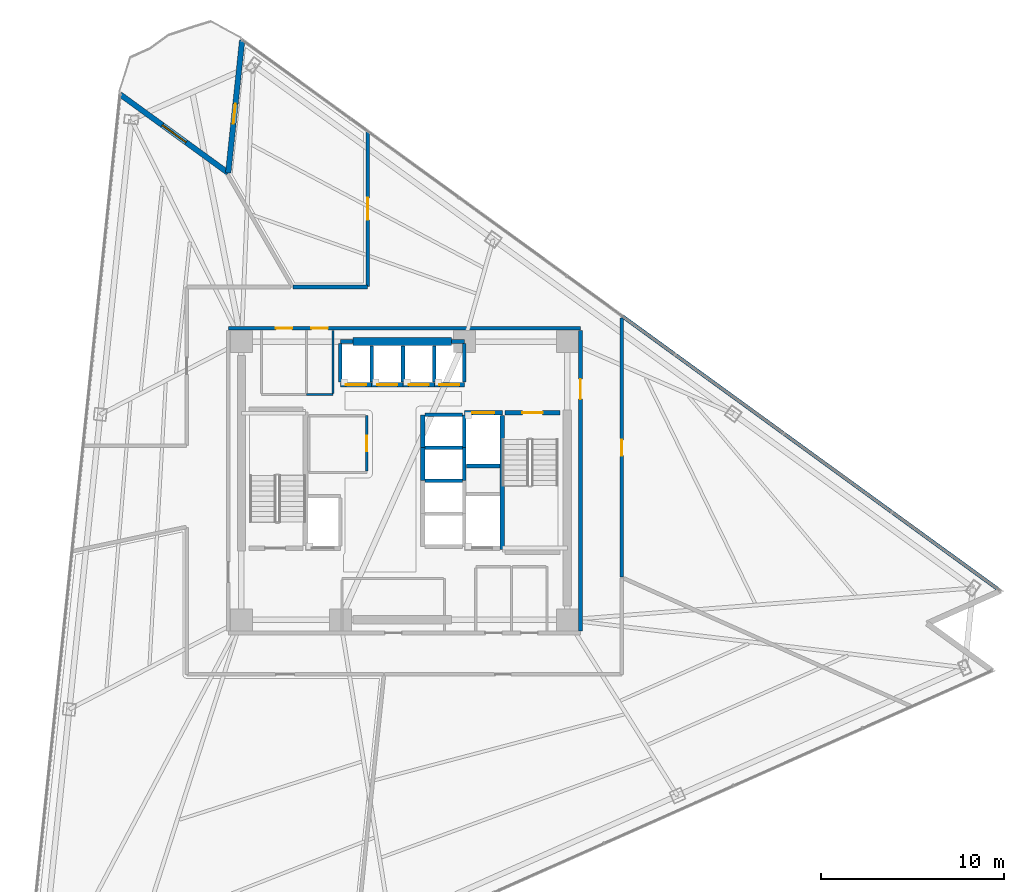
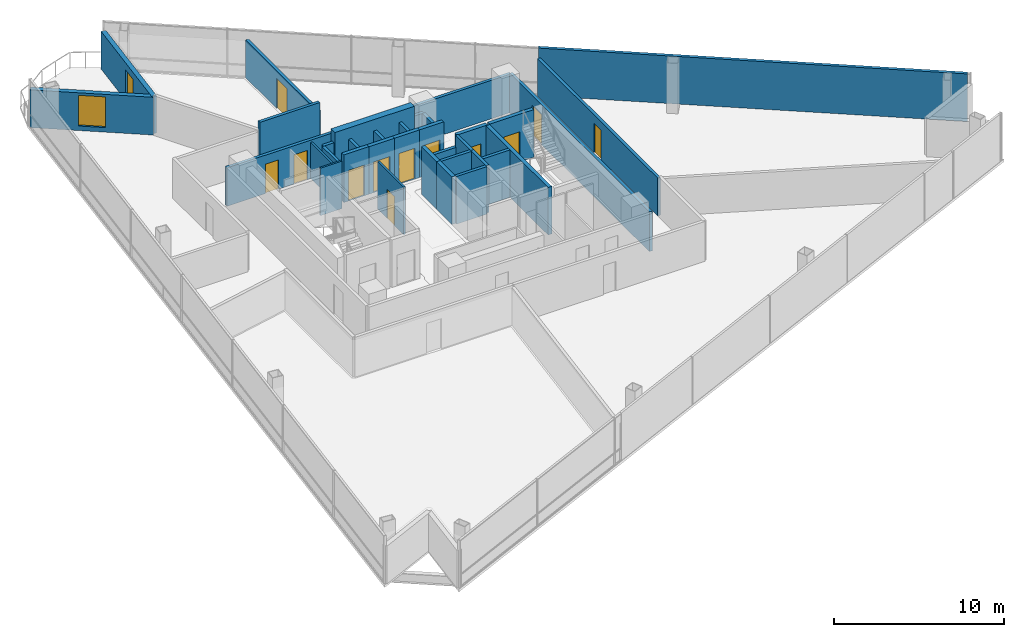
# One storey, part 12 of 16: 34 walls, 13 doors, 1 window, 14 openings.
"""IFC4 building model written with IfcOpenShell, lengths in metres."""

from ifc_helpers import new_model, si_unit, direction, frame, frame_2d, origin, place, context, subcontext, project, spatial, rectangle, extrude, material, layer, layer_set, type_object, element, fill, save


model = new_model("IFC4")

# Units and contexts
model_context = context("Model", 3, precision=1e-05, world=origin(), true_north=direction((0.0, 1.0)))
body_context = subcontext(model_context, "Body", "Model", "MODEL_VIEW")
ifc_project = project(units=[si_unit("LENGTHUNIT", "METRE"), si_unit("AREAUNIT", "SQUARE_METRE"), si_unit("VOLUMEUNIT", "CUBIC_METRE"), si_unit("PLANEANGLEUNIT", "RADIAN"), si_unit("MASSUNIT", "GRAM", prefix="KILO")], contexts=[model_context])

# Site, building, storey
site_placement = place(None, origin())
site = spatial("IfcSite", under=ifc_project, at=site_placement, CompositionType="ELEMENT")
building_placement = place(site_placement, origin())
building = spatial("IfcBuilding", under=site, at=building_placement, Name="Tharavind Bronze Gate", CompositionType="ELEMENT")
storey_placement = place(building_placement, frame((0.0, 0.0, 130.449951171875)))
storey = spatial("IfcBuildingStorey", under=building, at=storey_placement, Name="L33", CompositionType="ELEMENT", Elevation=130.449951171875)

# Wall, opening, door
ifc_material_1 = material(Name="Concrete C40/50", Category="concrete")
ifc_layer_1 = layer(ifc_material_1, 0.300048828125)
ifc_layer_set_1 = layer_set([ifc_layer_1], Name="Concrete C40/50")
wall_type_1 = type_object("IfcWallType", Name="EXTERIOR SPANDREL WALL 300", PredefinedType="STANDARD", material=ifc_layer_set_1)
wall_1_placement = place(storey_placement, frame((-8.85888671875, 24.07080078125, 0.0), z_axis=(0.0, 0.0, 1.0), x_axis=(-0.104512431924, -0.9945235802, 0.0)))
wall_1 = element("IfcWall", 1, at=wall_1_placement, inside=storey, type_object=wall_type_1, Name="L33 notch cheek wall 1A", PredefinedType="STANDARD", context=body_context, shape_type="SweptSolid", body=[
    extrude(rectangle(XDim=7.300048828125, YDim=0.300048828125, at=frame_2d((3.64990234375, 0.0))), origin(), (0.0, 0.0, 1.0), 2.705078125),
])
opening_1_placement = place(wall_1_placement, frame((3.508056640625, 0.0, 0.0)))
opening_1 = element("IfcOpeningElement", 2, at=opening_1_placement, cuts=wall_1, Name="Opening ED04", PredefinedType="OPENING", context=body_context, shape_type="SweptSolid", body=[
    extrude(rectangle(XDim=1.10009765625, YDim=2.199951171875, at=frame_2d((0.550048828125, 1.10009765625))), frame((0.0, 0.15990234375, 0.0), z_axis=(0.0, -1.0, 0.0), x_axis=(1.0, 0.0, 0.0)), (0.0, 0.0, 1.0), 0.320048828125),
])
ifc_material_2 = material(Name="Bronze Aluminium & Toughened Glass", Category="aluminium")
door_type_1 = type_object("IfcDoorType", Name="TREE BALCONY ACCESS DOOR 1100X2200", OperationType="SINGLE_SWING_LEFT", PredefinedType="DOOR", material=ifc_material_2)
door_1_placement = place(opening_1_placement, frame((1.10009765625, 0.0, 0.0), z_axis=(0.0, 0.0, 1.0), x_axis=(-1.0, 0.0, 0.0)))
door_1 = element("IfcDoor", 3, at=door_1_placement, inside=storey, type_object=door_type_1, Name="L33 tree balcony access door", OperationType="SINGLE_SWING_LEFT", OverallHeight=2.199951171875, OverallWidth=1.10009765625, PredefinedType="DOOR", context=body_context, shape_type="SweptSolid", body=[
    extrude(rectangle(XDim=1.10009765625, YDim=2.199951171875, at=frame_2d((0.550048828125, 1.10009765625))), frame((0.0, 0.02490234375, 0.0), z_axis=(0.0, -1.0, 0.0), x_axis=(1.0, 0.0, 0.0)), (0.0, 0.0, 1.0), 0.050048828125),
])
fill(opening_1, door_1)

# Wall, opening, window
wall_2_placement = place(storey_placement, frame((-9.621826171875, 16.810791015625, 0.0), z_axis=(0.0, 0.0, 1.0), x_axis=(-0.809002104592, 0.587805745775, 0.0)))
wall_2 = element("IfcWall", 4, at=wall_2_placement, inside=storey, type_object=wall_type_1, Name="L33 notch cheek wall 1B", PredefinedType="STANDARD", context=body_context, shape_type="SweptSolid", body=[
    extrude(rectangle(XDim=7.300048828125, YDim=0.300048828125, at=frame_2d((3.64990234375, 0.0))), origin(), (0.0, 0.0, 1.0), 2.705078125),
])
opening_2_placement = place(wall_2_placement, frame((2.85009765625, 0.0, 0.324951171875)))
opening_2 = element("IfcOpeningElement", 5, at=opening_2_placement, cuts=wall_2, Name="Opening W05", PredefinedType="OPENING", context=body_context, shape_type="SweptSolid", body=[
    extrude(rectangle(XDim=1.60009765625, YDim=2.199951171875, at=frame_2d((0.800048828125, 1.10009765625))), frame((0.0, 0.15990234375, 0.0), z_axis=(0.0, -1.0, 0.0), x_axis=(1.0, 0.0, 0.0)), (0.0, 0.0, 1.0), 0.320048828125),
])
ifc_material_3 = material(Name="Bronze Aluminium & Low-E Glass", Category="aluminium")
window_type = type_object("IfcWindowType", Name="OFFICE NOTCH BRONZE WINDOW 1600X2200", PartitioningType="DOUBLE_PANEL_VERTICAL", PredefinedType="WINDOW", material=ifc_material_3)
window_placement = place(opening_2_placement, origin())
window = element("IfcWindow", 6, at=window_placement, inside=storey, type_object=window_type, Name="L33 exterior window WL-L33-NCB1-01", OverallHeight=2.199951171875, OverallWidth=1.60009765625, PartitioningType="SINGLE_PANEL", PredefinedType="WINDOW", context=body_context, shape_type="SweptSolid", body=[
    extrude(rectangle(XDim=1.60009765625, YDim=2.199951171875, at=frame_2d((0.800048828125, 1.10009765625))), frame((0.0, 0.030029296875, 0.0), z_axis=(0.0, -1.0, 0.0), x_axis=(1.0, 0.0, 0.0)), (0.0, 0.0, 1.0), 0.06005859375),
])
fill(opening_2, window)

# Wall, openings, doors
ifc_material_4 = material(Name="Aerated Concrete Block", Category="concrete")
ifc_layer_2 = layer(ifc_material_4, 0.199951171875)
ifc_layer_set_2 = layer_set([ifc_layer_2], Name="Aerated Concrete Block")
wall_type_2 = type_object("IfcWallType", Name="FIRE RATED PARTITION 200", PredefinedType="PARTITIONING", material=ifc_layer_set_2)
wall_3_placement = place(storey_placement, frame((9.6201171875, 8.320068359375, 0.0), z_axis=(0.0, 0.0, 1.0), x_axis=(-1.0, 0.0, 0.0)))
wall_3 = element("IfcWall", 7, at=wall_3_placement, inside=storey, type_object=wall_type_2, Name="L33 north core corridor wall", PredefinedType="PARTITIONING", context=body_context, shape_type="SweptSolid", body=[
    extrude(rectangle(XDim=19.240234375, YDim=0.199951171875, at=frame_2d((9.6201171875, 0.0))), origin(), (0.0, 0.0, 1.0), 2.755126953125),
])
opening_3_placement = place(wall_3_placement, frame((15.7451171875, 0.0, 0.0)))
opening_3 = element("IfcOpeningElement", 8, at=opening_3_placement, cuts=wall_3, Name="Opening ID07", PredefinedType="OPENING", context=body_context, shape_type="SweptSolid", body=[
    extrude(rectangle(XDim=0.89990234375, YDim=2.10009765625, at=frame_2d((0.449951171875, 1.050048828125))), frame((0.0, 0.11009765625, 0.0), z_axis=(0.0, -1.0, 0.0), x_axis=(1.0, 0.0, 0.0)), (0.0, 0.0, 1.0), 0.219951171875),
])
opening_4_placement = place(wall_3_placement, frame((13.794921875, 0.0, 0.0)))
opening_4 = element("IfcOpeningElement", 9, at=opening_4_placement, cuts=wall_3, Name="Opening ID07", PredefinedType="OPENING", context=body_context, shape_type="SweptSolid", body=[
    extrude(rectangle(XDim=0.89990234375, YDim=2.10009765625, at=frame_2d((0.449951171875, 1.050048828125))), frame((0.0, 0.11009765625, 0.0), z_axis=(0.0, -1.0, 0.0), x_axis=(1.0, 0.0, 0.0)), (0.0, 0.0, 1.0), 0.219951171875),
])
ifc_material_5 = material(Name="Galvanised Fire Steel", Category="steel")
door_type_2 = type_object("IfcDoorType", Name="PLANT AND RISER FIRE DOOR 900X2100", OperationType="SINGLE_SWING_LEFT", PredefinedType="DOOR", material=ifc_material_5)
door_2_placement = place(opening_3_placement, origin())
door_2 = element("IfcDoor", 10, at=door_2_placement, inside=storey, type_object=door_type_2, Name="L33 Electrical Metering Room fire door", OperationType="SINGLE_SWING_LEFT", OverallHeight=2.10009765625, OverallWidth=0.89990234375, PredefinedType="DOOR", context=body_context, shape_type="SweptSolid", body=[
    extrude(rectangle(XDim=0.89990234375, YDim=2.10009765625, at=frame_2d((0.449951171875, 1.050048828125))), frame((0.0, 0.02490234375, 0.0), z_axis=(0.0, -1.0, 0.0), x_axis=(1.0, 0.0, 0.0)), (0.0, 0.0, 1.0), 0.050048828125),
])
fill(opening_3, door_2)
door_3_placement = place(opening_4_placement, origin())
door_3 = element("IfcDoor", 11, at=door_3_placement, inside=storey, type_object=door_type_2, Name="L33 Linen Cupboard fire door", OperationType="SINGLE_SWING_LEFT", OverallHeight=2.10009765625, OverallWidth=0.89990234375, PredefinedType="DOOR", context=body_context, shape_type="SweptSolid", body=[
    extrude(rectangle(XDim=0.89990234375, YDim=2.10009765625, at=frame_2d((0.449951171875, 1.050048828125))), frame((0.0, 0.02490234375, 0.0), z_axis=(0.0, -1.0, 0.0), x_axis=(1.0, 0.0, 0.0)), (0.0, 0.0, 1.0), 0.050048828125),
])
fill(opening_4, door_3)

# Wall, opening, door
wall_4_placement = place(storey_placement, frame((9.6201171875, -8.199951171875, 0.0), z_axis=(0.0, 0.0, 1.0), x_axis=(0.0, 1.0, 0.0)))
wall_4 = element("IfcWall", 12, at=wall_4_placement, inside=storey, type_object=wall_type_2, Name="L33 east core corridor wall", PredefinedType="PARTITIONING", context=body_context, shape_type="SweptSolid", body=[
    extrude(rectangle(XDim=16.39990234375, YDim=0.199951171875, at=frame_2d((8.199951171875, 0.0))), origin(), (0.0, 0.0, 1.0), 2.85498046875),
])
opening_5_placement = place(wall_4_placement, frame((12.64990234375, 0.0, 0.0)))
opening_5 = element("IfcOpeningElement", 13, at=opening_5_placement, cuts=wall_4, Name="Opening ID01", PredefinedType="OPENING", context=body_context, shape_type="SweptSolid", body=[
    extrude(rectangle(XDim=1.10009765625, YDim=2.14990234375, at=frame_2d((0.550048828125, 1.074951171875))), frame((0.0, 0.11009765625, 0.0), z_axis=(0.0, -1.0, 0.0), x_axis=(1.0, 0.0, 0.0)), (0.0, 0.0, 1.0), 0.219951171875),
])
ifc_material_6 = material(Name="Fire-Rated Steel", Category="steel")
door_type_3 = type_object("IfcDoorType", Name="STAIR CORE FIRE DOOR 1100X2150", OperationType="SINGLE_SWING_LEFT", PredefinedType="DOOR", material=ifc_material_6)
door_4_placement = place(opening_5_placement, frame((1.10009765625, 0.0, 0.0), z_axis=(0.0, 0.0, 1.0), x_axis=(-1.0, 0.0, 0.0)))
door_4 = element("IfcDoor", 14, at=door_4_placement, inside=storey, type_object=door_type_3, Name="L33 north east stair lobby fire door", OperationType="SINGLE_SWING_LEFT", OverallHeight=2.14990234375, OverallWidth=1.10009765625, PredefinedType="DOOR", context=body_context, shape_type="SweptSolid", body=[
    extrude(rectangle(XDim=1.10009765625, YDim=2.14990234375, at=frame_2d((0.550048828125, 1.074951171875))), frame((0.0, 0.02490234375, 0.0), z_axis=(0.0, -1.0, 0.0), x_axis=(1.0, 0.0, 0.0)), (0.0, 0.0, 1.0), 0.050048828125),
])
fill(opening_5, door_4)

# Wall
wall_5_placement = place(storey_placement, frame((11.919677734375, 8.974609375, 0.0), z_axis=(0.0, 0.0, 1.0), x_axis=(0.809015648515, -0.587787104705, 0.0)))
element("IfcWall", 15, at=wall_5_placement, inside=storey, type_object=wall_type_2, Name="L33 Public Restrooms Block partition", PredefinedType="PARTITIONING", context=body_context, shape_type="SweptSolid", body=[
    extrude(rectangle(XDim=25.331298828125, YDim=0.199951171875, at=frame_2d((12.66552734375, 0.0))), origin(), (0.0, 0.0, 1.0), 3.41015625),
])

# Wall, opening, door
wall_6_placement = place(storey_placement, frame((11.8798828125, -5.273193359375, 0.0), z_axis=(0.0, 0.0, 1.0), x_axis=(0.0, 1.0, 0.0)))
wall_6 = element("IfcWall", 16, at=wall_6_placement, inside=storey, type_object=wall_type_2, Name="L33 Public Restrooms Block partition", PredefinedType="PARTITIONING", context=body_context, shape_type="SweptSolid", body=[
    extrude(rectangle(XDim=14.146728515625, YDim=0.199951171875, at=frame_2d((7.0732421875, 0.0))), origin(), (0.0, 0.0, 1.0), 2.705078125),
])
opening_6_placement = place(wall_6_placement, frame((6.64794921875, 0.0, 0.0)))
opening_6 = element("IfcOpeningElement", 17, at=opening_6_placement, cuts=wall_6, Name="Opening ID06", PredefinedType="OPENING", context=body_context, shape_type="SweptSolid", body=[
    extrude(rectangle(XDim=0.85009765625, YDim=2.10009765625, at=frame_2d((0.425048828125, 1.050048828125))), frame((0.0, 0.11009765625, 0.0), z_axis=(0.0, -1.0, 0.0), x_axis=(1.0, 0.0, 0.0)), (0.0, 0.0, 1.0), 0.219951171875),
])
ifc_material_7 = material(Name="Moisture-Resistant Timber", Category="wood")
door_type_4 = type_object("IfcDoorType", Name="BATHROOM PRIVACY DOOR 850X2100", OperationType="SINGLE_SWING_RIGHT", PredefinedType="DOOR", material=ifc_material_7)
door_5_placement = place(opening_6_placement, origin())
door_5 = element("IfcDoor", 18, at=door_5_placement, inside=storey, type_object=door_type_4, Name="L33 Public Restrooms Block door", OperationType="SINGLE_SWING_RIGHT", OverallHeight=2.10009765625, OverallWidth=0.85009765625, PredefinedType="DOOR", context=body_context, shape_type="SweptSolid", body=[
    extrude(rectangle(XDim=0.85009765625, YDim=2.10009765625, at=frame_2d((0.425048828125, 1.050048828125))), frame((0.0, 0.02490234375, 0.0), z_axis=(0.0, -1.0, 0.0), x_axis=(1.0, 0.0, 0.0)), (0.0, 0.0, 1.0), 0.050048828125),
])
fill(opening_6, door_5)

wall_7_placement = place(storey_placement, frame((-2.0, 19.087646484375, 0.0), z_axis=(0.0, 0.0, 1.0), x_axis=(0.0, -1.0, 0.0)))
wall_7 = element("IfcWall", 19, at=wall_7_placement, inside=storey, type_object=wall_type_2, Name="L33 Executive Forum Hall partition", PredefinedType="PARTITIONING", context=body_context, shape_type="SweptSolid", body=[
    extrude(rectangle(XDim=8.482666015625, YDim=0.199951171875, at=frame_2d((4.2412109375, 0.0))), origin(), (0.0, 0.0, 1.0), 2.705078125),
])
opening_7_placement = place(wall_7_placement, frame((3.64111328125, 0.0, 0.0)))
opening_7 = element("IfcOpeningElement", 20, at=opening_7_placement, cuts=wall_7, Name="Opening ID05", PredefinedType="OPENING", context=body_context, shape_type="SweptSolid", body=[
    extrude(rectangle(XDim=1.199951171875, YDim=2.14990234375, at=frame_2d((0.60009765625, 1.074951171875))), frame((0.0, 0.11009765625, 0.0), z_axis=(0.0, -1.0, 0.0), x_axis=(1.0, 0.0, 0.0)), (0.0, 0.0, 1.0), 0.219951171875),
])
ifc_material_8 = material(Name="Acoustic Laminated Glass", Category="glass")
door_type_5 = type_object("IfcDoorType", Name="MEETING ROOM GLAZED DOOR 1200X2150", OperationType="SINGLE_SWING_LEFT", PredefinedType="DOOR", material=ifc_material_8)
door_6_placement = place(opening_7_placement, origin())
door_6 = element("IfcDoor", 21, at=door_6_placement, inside=storey, type_object=door_type_5, Name="L33 Executive Forum Hall door", OperationType="SINGLE_SWING_LEFT", OverallHeight=2.14990234375, OverallWidth=1.199951171875, PredefinedType="DOOR", context=body_context, shape_type="SweptSolid", body=[
    extrude(rectangle(XDim=1.199951171875, YDim=2.14990234375, at=frame_2d((0.60009765625, 1.074951171875))), frame((0.0, 0.02490234375, 0.0), z_axis=(0.0, -1.0, 0.0), x_axis=(1.0, 0.0, 0.0)), (0.0, 0.0, 1.0), 0.050048828125),
])
fill(opening_7, door_6)

# Wall
wall_8_placement = place(storey_placement, frame((-2.02490234375, 10.580078125, 0.0), z_axis=(0.0, 0.0, 1.0), x_axis=(-1.0, 0.0, 0.0)))
element("IfcWall", 22, at=wall_8_placement, inside=storey, type_object=wall_type_2, Name="L33 Executive Forum Hall partition", PredefinedType="PARTITIONING", context=body_context, shape_type="SweptSolid", body=[
    extrude(rectangle(XDim=4.069091796875, YDim=0.199951171875, at=frame_2d((2.03466796875, 0.0))), origin(), (0.0, 0.0, 1.0), 3.41015625),
])

# Wall, opening, door
ifc_material_9 = material(Name="Metal Stud Gypsum Partition", Category="gypsum")
ifc_layer_3 = layer(ifc_material_9, 0.1201171875)
ifc_layer_set_3 = layer_set([ifc_layer_3], Name="Metal Stud Gypsum Partition")
wall_type_3 = type_object("IfcWallType", Name="INTERIOR PARTITION WALL 120", PredefinedType="PARTITIONING", material=ifc_layer_set_3)
wall_9_placement = place(storey_placement, frame((-2.050048828125, 0.514892578125, 0.0), z_axis=(0.0, 0.0, 1.0), x_axis=(0.0, 1.0, 0.0)))
wall_9 = element("IfcWall", 23, at=wall_9_placement, inside=storey, type_object=wall_type_3, Name="L33 Electrical & Telecom Store partition 2", PredefinedType="PARTITIONING", context=body_context, shape_type="SweptSolid", body=[
    extrude(rectangle(XDim=3.03515625, YDim=0.1201171875, at=frame_2d((1.517578125, 0.0))), origin(), (0.0, 0.0, 1.0), 3.41015625),
])
opening_8_placement = place(wall_9_placement, frame((1.092041015625, 0.0, 0.0)))
opening_8 = element("IfcOpeningElement", 24, at=opening_8_placement, cuts=wall_9, Name="Opening ID06", PredefinedType="OPENING", context=body_context, shape_type="SweptSolid", body=[
    extrude(rectangle(XDim=0.85009765625, YDim=2.10009765625, at=frame_2d((0.425048828125, 1.050048828125))), frame((0.0, 0.07005859375, 0.0), z_axis=(0.0, -1.0, 0.0), x_axis=(1.0, 0.0, 0.0)), (0.0, 0.0, 1.0), 0.1401171875),
])
door_7_placement = place(opening_8_placement, frame((0.85009765625, 0.0, 0.0), z_axis=(0.0, 0.0, 1.0), x_axis=(-1.0, 0.0, 0.0)))
door_7 = element("IfcDoor", 25, at=door_7_placement, inside=storey, type_object=door_type_4, Name="L33 Electrical & Telecom Store door", OperationType="SINGLE_SWING_RIGHT", OverallHeight=2.10009765625, OverallWidth=0.85009765625, PredefinedType="DOOR", context=body_context, shape_type="SweptSolid", body=[
    extrude(rectangle(XDim=0.85009765625, YDim=2.10009765625, at=frame_2d((0.425048828125, 1.050048828125))), frame((0.0, 0.02490234375, 0.0), z_axis=(0.0, -1.0, 0.0), x_axis=(1.0, 0.0, 0.0)), (0.0, 0.0, 1.0), 0.050048828125),
])
fill(opening_8, door_7)

# Walls
wall_10_placement = place(storey_placement, frame((-5.35009765625, 4.699951171875, 0.0), z_axis=(0.0, 0.0, 1.0), x_axis=(1.0, 0.0, 0.0)))
element("IfcWall", 26, at=wall_10_placement, inside=storey, type_object=wall_type_3, Name="L33 Linen Cupboard partition 1", PredefinedType="PARTITIONING", context=body_context, shape_type="SweptSolid", body=[
    extrude(rectangle(XDim=1.4501953125, YDim=0.1201171875, at=frame_2d((0.72509765625, 0.0))), origin(), (0.0, 0.0, 1.0), 3.41015625),
])
wall_11_placement = place(storey_placement, frame((-3.89990234375, 4.764892578125, 0.0), z_axis=(0.0, 0.0, 1.0), x_axis=(0.0, 1.0, 0.0)))
element("IfcWall", 27, at=wall_11_placement, inside=storey, type_object=wall_type_3, Name="L33 Linen Cupboard partition 2", PredefinedType="PARTITIONING", context=body_context, shape_type="SweptSolid", body=[
    extrude(rectangle(XDim=3.4501953125, YDim=0.1201171875, at=frame_2d((1.72509765625, 0.0))), origin(), (0.0, 0.0, 1.0), 2.60498046875),
])
ifc_material_10 = material(Name="Concrete C50/60", Category="concrete")
ifc_layer_4 = layer(ifc_material_10, 0.25)
ifc_layer_set_4 = layer_set([ifc_layer_4], Name="Concrete C50/60")
wall_type_4 = type_object("IfcWallType", Name="RC CORE SHEAR WALL 250", PredefinedType="SHEAR", material=ifc_layer_set_4)
wall_12_placement = place(storey_placement, frame((5.35009765625, -3.75, 0.0), z_axis=(0.0, 0.0, 1.0), x_axis=(0.0, 1.0, 0.0)))
element("IfcWall", 28, at=wall_12_placement, inside=storey, type_object=wall_type_4, Name="L33 ST2 shaft west wall", PredefinedType="SHEAR", context=body_context, shape_type="SweptSolid", body=[
    extrude(rectangle(XDim=7.300048828125, YDim=0.25, at=frame_2d((3.64990234375, 0.0))), origin(), (0.0, 0.0, 1.0), 3.41015625),
])

# Wall, opening, door
wall_13_placement = place(storey_placement, frame((5.5, 3.699951171875, 0.0), z_axis=(0.0, 0.0, 1.0), x_axis=(1.0, 0.0, 0.0)))
wall_13 = element("IfcWall", 29, at=wall_13_placement, inside=storey, type_object=wall_type_4, Name="L33 ST2 shaft north wall", PredefinedType="SHEAR", context=body_context, shape_type="SweptSolid", body=[
    extrude(rectangle(XDim=3.0, YDim=0.25, at=frame_2d((1.5, 0.0))), origin(), (0.0, 0.0, 1.0), 3.41015625),
])
opening_9_placement = place(wall_13_placement, frame((0.949951171875, 0.0, 0.0)))
opening_9 = element("IfcOpeningElement", 30, at=opening_9_placement, cuts=wall_13, Name="Opening ID01", PredefinedType="OPENING", context=body_context, shape_type="SweptSolid", body=[
    extrude(rectangle(XDim=1.10009765625, YDim=2.14990234375, at=frame_2d((0.550048828125, 1.074951171875))), frame((0.0, 0.135, 0.0), z_axis=(0.0, -1.0, 0.0), x_axis=(1.0, 0.0, 0.0)), (0.0, 0.0, 1.0), 0.27),
])
door_8_placement = place(opening_9_placement, frame((1.10009765625, 0.0, 0.0), z_axis=(0.0, 0.0, 1.0), x_axis=(-1.0, 0.0, 0.0)))
door_8 = element("IfcDoor", 31, at=door_8_placement, inside=storey, type_object=door_type_3, Name="L33 exit stair ST2 fire door", OperationType="SINGLE_SWING_LEFT", OverallHeight=2.14990234375, OverallWidth=1.10009765625, PredefinedType="DOOR", context=body_context, shape_type="SweptSolid", body=[
    extrude(rectangle(XDim=1.10009765625, YDim=2.14990234375, at=frame_2d((0.550048828125, 1.074951171875))), frame((0.0, 0.02490234375, 0.0), z_axis=(0.0, -1.0, 0.0), x_axis=(1.0, 0.0, 0.0)), (0.0, 0.0, 1.0), 0.050048828125),
])
fill(opening_9, door_8)

wall_14_placement = place(storey_placement, frame((-3.5, 5.25, 0.0), z_axis=(0.0, 0.0, 1.0), x_axis=(1.0, 0.0, 0.0)))
wall_14 = element("IfcWall", 32, at=wall_14_placement, inside=storey, type_object=wall_type_4, Name="L33 lift PL5 shaft front wall", PredefinedType="SHEAR", context=body_context, shape_type="SweptSolid", body=[
    extrude(rectangle(XDim=1.71240234375, YDim=0.25, at=frame_2d((0.856201171875, 0.0))), origin(), (0.0, 0.0, 1.0), 3.41015625),
])
opening_10_placement = place(wall_14_placement, frame((0.305908203125, 0.0, 0.0)))
opening_10 = element("IfcOpeningElement", 33, at=opening_10_placement, cuts=wall_14, Name="Opening LD01", PredefinedType="OPENING", context=body_context, shape_type="SweptSolid", body=[
    extrude(rectangle(XDim=1.10009765625, YDim=2.199951171875, at=frame_2d((0.550048828125, 1.10009765625))), frame((0.0, 0.135, 0.0), z_axis=(0.0, -1.0, 0.0), x_axis=(1.0, 0.0, 0.0)), (0.0, 0.0, 1.0), 0.27),
])
ifc_material_11 = material(Name="Brushed Bronze Stainless Steel", Category="steel")
door_type_6 = type_object("IfcDoorType", Name="LIFT LANDING SLIDING DOOR 1100X2200", OperationType="SLIDING_TO_LEFT", PredefinedType="DOOR", material=ifc_material_11)
door_9_placement = place(opening_10_placement, origin())
door_9 = element("IfcDoor", 34, at=door_9_placement, inside=storey, type_object=door_type_6, Name="L33 lift PL5 sliding landing door", OperationType="SLIDING_TO_LEFT", OverallHeight=2.199951171875, OverallWidth=1.10009765625, PredefinedType="DOOR", context=body_context, shape_type="SweptSolid", body=[
    extrude(rectangle(XDim=1.10009765625, YDim=2.199951171875, at=frame_2d((0.550048828125, 1.10009765625))), frame((0.0, 0.02490234375, 0.0), z_axis=(0.0, -1.0, 0.0), x_axis=(1.0, 0.0, 0.0)), (0.0, 0.0, 1.0), 0.050048828125),
])
fill(opening_10, door_9)

wall_15_placement = place(storey_placement, frame((-1.78759765625, 5.25, 0.0), z_axis=(0.0, 0.0, 1.0), x_axis=(1.0, 0.0, 0.0)))
wall_15 = element("IfcWall", 35, at=wall_15_placement, inside=storey, type_object=wall_type_4, Name="L33 lift PL6 shaft front wall", PredefinedType="SHEAR", context=body_context, shape_type="SweptSolid", body=[
    extrude(rectangle(XDim=1.712646484375, YDim=0.25, at=frame_2d((0.8564453125, 0.0))), origin(), (0.0, 0.0, 1.0), 3.41015625),
])
opening_11_placement = place(wall_15_placement, frame((0.305908203125, 0.0, 0.0)))
opening_11 = element("IfcOpeningElement", 36, at=opening_11_placement, cuts=wall_15, Name="Opening LD01", PredefinedType="OPENING", context=body_context, shape_type="SweptSolid", body=[
    extrude(rectangle(XDim=1.10009765625, YDim=2.199951171875, at=frame_2d((0.550048828125, 1.10009765625))), frame((0.0, 0.135, 0.0), z_axis=(0.0, -1.0, 0.0), x_axis=(1.0, 0.0, 0.0)), (0.0, 0.0, 1.0), 0.27),
])
door_10_placement = place(opening_11_placement, origin())
door_10 = element("IfcDoor", 37, at=door_10_placement, inside=storey, type_object=door_type_6, Name="L33 lift PL6 sliding landing door", OperationType="SLIDING_TO_LEFT", OverallHeight=2.199951171875, OverallWidth=1.10009765625, PredefinedType="DOOR", context=body_context, shape_type="SweptSolid", body=[
    extrude(rectangle(XDim=1.10009765625, YDim=2.199951171875, at=frame_2d((0.550048828125, 1.10009765625))), frame((0.0, 0.02490234375, 0.0), z_axis=(0.0, -1.0, 0.0), x_axis=(1.0, 0.0, 0.0)), (0.0, 0.0, 1.0), 0.050048828125),
])
fill(opening_11, door_10)

wall_16_placement = place(storey_placement, frame((-0.074951171875, 5.25, 0.0), z_axis=(0.0, 0.0, 1.0), x_axis=(1.0, 0.0, 0.0)))
wall_16 = element("IfcWall", 38, at=wall_16_placement, inside=storey, type_object=wall_type_4, Name="L33 lift PL7 shaft front wall", PredefinedType="SHEAR", context=body_context, shape_type="SweptSolid", body=[
    extrude(rectangle(XDim=1.71240234375, YDim=0.25, at=frame_2d((0.856201171875, 0.0))), origin(), (0.0, 0.0, 1.0), 3.41015625),
])
opening_12_placement = place(wall_16_placement, frame((0.305908203125, 0.0, 0.0)))
opening_12 = element("IfcOpeningElement", 39, at=opening_12_placement, cuts=wall_16, Name="Opening LD01", PredefinedType="OPENING", context=body_context, shape_type="SweptSolid", body=[
    extrude(rectangle(XDim=1.10009765625, YDim=2.199951171875, at=frame_2d((0.550048828125, 1.10009765625))), frame((0.0, 0.135, 0.0), z_axis=(0.0, -1.0, 0.0), x_axis=(1.0, 0.0, 0.0)), (0.0, 0.0, 1.0), 0.27),
])
door_11_placement = place(opening_12_placement, origin())
door_11 = element("IfcDoor", 40, at=door_11_placement, inside=storey, type_object=door_type_6, Name="L33 lift PL7 sliding landing door", OperationType="SLIDING_TO_LEFT", OverallHeight=2.199951171875, OverallWidth=1.10009765625, PredefinedType="DOOR", context=body_context, shape_type="SweptSolid", body=[
    extrude(rectangle(XDim=1.10009765625, YDim=2.199951171875, at=frame_2d((0.550048828125, 1.10009765625))), frame((0.0, 0.02490234375, 0.0), z_axis=(0.0, -1.0, 0.0), x_axis=(1.0, 0.0, 0.0)), (0.0, 0.0, 1.0), 0.050048828125),
])
fill(opening_12, door_11)

wall_17_placement = place(storey_placement, frame((1.637451171875, 5.25, 0.0), z_axis=(0.0, 0.0, 1.0), x_axis=(1.0, 0.0, 0.0)))
wall_17 = element("IfcWall", 41, at=wall_17_placement, inside=storey, type_object=wall_type_4, Name="L33 lift PL8 shaft front wall", PredefinedType="SHEAR", context=body_context, shape_type="SweptSolid", body=[
    extrude(rectangle(XDim=1.642578125, YDim=0.25, at=frame_2d((0.8212890625, 0.0))), origin(), (0.0, 0.0, 1.0), 3.41015625),
])
opening_13_placement = place(wall_17_placement, frame((0.27099609375, 0.0, 0.0)))
opening_13 = element("IfcOpeningElement", 42, at=opening_13_placement, cuts=wall_17, Name="Opening LD01", PredefinedType="OPENING", context=body_context, shape_type="SweptSolid", body=[
    extrude(rectangle(XDim=1.10009765625, YDim=2.199951171875, at=frame_2d((0.550048828125, 1.10009765625))), frame((0.0, 0.135, 0.0), z_axis=(0.0, -1.0, 0.0), x_axis=(1.0, 0.0, 0.0)), (0.0, 0.0, 1.0), 0.27),
])
door_12_placement = place(opening_13_placement, origin())
door_12 = element("IfcDoor", 43, at=door_12_placement, inside=storey, type_object=door_type_6, Name="L33 lift PL8 sliding landing door", OperationType="SLIDING_TO_LEFT", OverallHeight=2.199951171875, OverallWidth=1.10009765625, PredefinedType="DOOR", context=body_context, shape_type="SweptSolid", body=[
    extrude(rectangle(XDim=1.10009765625, YDim=2.199951171875, at=frame_2d((0.550048828125, 1.10009765625))), frame((0.0, 0.02490234375, 0.0), z_axis=(0.0, -1.0, 0.0), x_axis=(1.0, 0.0, 0.0)), (0.0, 0.0, 1.0), 0.050048828125),
])
fill(opening_13, door_12)

# Walls
for number, where, z_axis, x_axis, name in (
    (44, (1.0, 0.0, 0.0), (0.0, 0.0, 1.0), (0.0, 1.0, 0.0), "L33 lift PL11 shaft front wall"),
    (45, (1.0, 1.800048828125, 0.0), (0.0, 0.0, 1.0), (0.0, 1.0, 0.0), "L33 lift PL12 shaft front wall"),
):
    element("IfcWall", number, at=place(storey_placement, frame(where, z_axis=z_axis, x_axis=x_axis)), inside=storey, type_object=wall_type_4, Name=name, PredefinedType="SHEAR", context=body_context, shape_type="SweptSolid", body=[
        extrude(rectangle(XDim=1.800048828125, YDim=0.25, at=frame_2d((0.89990234375, 0.0))), origin(), (0.0, 0.0, 1.0), 3.41015625),
    ])

# Wall, opening, door
wall_18_placement = place(storey_placement, frame((3.280029296875, 3.699951171875, 0.0), z_axis=(0.0, 0.0, 1.0), x_axis=(1.0, 0.0, 0.0)))
wall_18 = element("IfcWall", 46, at=wall_18_placement, inside=storey, type_object=wall_type_4, Name="L33 lift FFL2 shaft front wall", PredefinedType="SHEAR", context=body_context, shape_type="SweptSolid", body=[
    extrude(rectangle(XDim=2.070068359375, YDim=0.25, at=frame_2d((1.03515625, 0.0))), origin(), (0.0, 0.0, 1.0), 3.41015625),
])
opening_14_placement = place(wall_18_placement, frame((0.43505859375, 0.0, 0.0)))
opening_14 = element("IfcOpeningElement", 47, at=opening_14_placement, cuts=wall_18, Name="Opening LD02", PredefinedType="OPENING", context=body_context, shape_type="SweptSolid", body=[
    extrude(rectangle(XDim=1.199951171875, YDim=2.199951171875, at=frame_2d((0.60009765625, 1.10009765625))), frame((0.0, 0.135, 0.0), z_axis=(0.0, -1.0, 0.0), x_axis=(1.0, 0.0, 0.0)), (0.0, 0.0, 1.0), 0.27),
])
ifc_material_12 = material(Name="Brushed Stainless Steel", Category="steel")
door_type_7 = type_object("IfcDoorType", Name="FIREFIGHTING LIFT LANDING DOOR 1200X2200", OperationType="SLIDING_TO_RIGHT", PredefinedType="DOOR", material=ifc_material_12)
door_13_placement = place(opening_14_placement, origin())
door_13 = element("IfcDoor", 48, at=door_13_placement, inside=storey, type_object=door_type_7, Name="L33 lift FFL2 sliding landing door", OperationType="SLIDING_TO_RIGHT", OverallHeight=2.199951171875, OverallWidth=1.199951171875, PredefinedType="DOOR", context=body_context, shape_type="SweptSolid", body=[
    extrude(rectangle(XDim=1.199951171875, YDim=2.199951171875, at=frame_2d((0.60009765625, 1.10009765625))), frame((0.0, 0.02490234375, 0.0), z_axis=(0.0, -1.0, 0.0), x_axis=(1.0, 0.0, 0.0)), (0.0, 0.0, 1.0), 0.050048828125),
])
fill(opening_14, door_13)

# Walls
ifc_material_13 = material(Name="Concrete C60/75", Category="concrete")
ifc_layer_5 = layer(ifc_material_13, 0.449951171875)
ifc_layer_set_5 = layer_set([ifc_layer_5], Name="Concrete C60/75")
wall_type_5 = type_object("IfcWallType", Name="RC CORE SHEAR WALL 450", PredefinedType="SHEAR", material=ifc_layer_set_5)
wall_19_placement = place(storey_placement, frame((-2.800048828125, 7.60009765625, 0.0), z_axis=(0.0, 0.0, 1.0), x_axis=(1.0, 0.0, 0.0)))
element("IfcWall", 49, at=wall_19_placement, inside=storey, type_object=wall_type_5, Name="L33 north core shear wall", PredefinedType="SHEAR", context=body_context, shape_type="SweptSolid", body=[
    extrude(rectangle(XDim=5.380126953125, YDim=0.449951171875, at=frame_2d((2.68994140625, 0.0))), origin(), (0.0, 0.0, 1.0), 3.41015625),
])
ifc_layer_6 = layer(ifc_material_1, 0.199951171875)
ifc_layer_set_6 = layer_set([ifc_layer_6], Name="Concrete C40/50")
wall_type_6 = type_object("IfcWallType", Name="SHAFT ENCLOSURE WALL 200", PredefinedType="PARTITIONING", material=ifc_layer_set_6)
wall_20_placement = place(storey_placement, frame((-3.5, 7.60009765625, 0.0), z_axis=(0.0, 0.0, 1.0), x_axis=(1.0, 0.0, 0.0)))
element("IfcWall", 50, at=wall_20_placement, inside=storey, type_object=wall_type_6, Name="L33 lift PL5 shaft N enclosure wall", PredefinedType="PARTITIONING", context=body_context, shape_type="SweptSolid", body=[
    extrude(rectangle(XDim=0.699951171875, YDim=0.199951171875, at=frame_2d((0.35009765625, 0.0))), origin(), (0.0, 0.0, 1.0), 2.60498046875),
])
wall_21_placement = place(storey_placement, frame((-3.5, 5.3798828125, 0.0), z_axis=(0.0, 0.0, 1.0), x_axis=(0.0, 1.0, 0.0)))
element("IfcWall", 51, at=wall_21_placement, inside=storey, type_object=wall_type_6, Name="L33 lift PL5 shaft W enclosure wall", PredefinedType="PARTITIONING", context=body_context, shape_type="SweptSolid", body=[
    extrude(rectangle(XDim=2.115234375, YDim=0.199951171875, at=frame_2d((1.0576171875, 0.0))), origin(), (0.0, 0.0, 1.0), 2.60498046875),
])
for number, where, z_axis, x_axis, name in (
    (52, (-1.78759765625, 5.3798828125, 0.0), (0.0, 0.0, 1.0), (0.0, 1.0, 0.0), "L33 lift PL5 shaft E enclosure wall"),
    (53, (-0.074951171875, 5.3798828125, 0.0), (0.0, 0.0, 1.0), (0.0, 1.0, 0.0), "L33 lift PL6 shaft E enclosure wall"),
    (54, (1.637451171875, 5.3798828125, 0.0), (0.0, 0.0, 1.0), (0.0, 1.0, 0.0), "L33 lift PL7 shaft E enclosure wall"),
):
    element("IfcWall", number, at=place(storey_placement, frame(where, z_axis=z_axis, x_axis=x_axis)), inside=storey, type_object=wall_type_6, Name=name, PredefinedType="PARTITIONING", context=body_context, shape_type="SweptSolid", body=[
        extrude(rectangle(XDim=1.990234375, YDim=0.199951171875, at=frame_2d((0.9951171875, 0.0))), origin(), (0.0, 0.0, 1.0), 2.60498046875),
    ])
wall_22_placement = place(storey_placement, frame((2.580078125, 7.60009765625, 0.0), z_axis=(0.0, 0.0, 1.0), x_axis=(1.0, 0.0, 0.0)))
element("IfcWall", 55, at=wall_22_placement, inside=storey, type_object=wall_type_6, Name="L33 lift PL8 shaft N enclosure wall", PredefinedType="PARTITIONING", context=body_context, shape_type="SweptSolid", body=[
    extrude(rectangle(XDim=0.699951171875, YDim=0.199951171875, at=frame_2d((0.35009765625, 0.0))), origin(), (0.0, 0.0, 1.0), 2.60498046875),
])
wall_23_placement = place(storey_placement, frame((3.280029296875, 5.3798828125, 0.0), z_axis=(0.0, 0.0, 1.0), x_axis=(0.0, 1.0, 0.0)))
element("IfcWall", 56, at=wall_23_placement, inside=storey, type_object=wall_type_6, Name="L33 lift PL8 shaft E enclosure wall", PredefinedType="PARTITIONING", context=body_context, shape_type="SweptSolid", body=[
    extrude(rectangle(XDim=2.115234375, YDim=0.199951171875, at=frame_2d((1.0576171875, 0.0))), origin(), (0.0, 0.0, 1.0), 2.60498046875),
])
wall_24_placement = place(storey_placement, frame((1.1298828125, 0.0, 0.0), z_axis=(0.0, 0.0, 1.0), x_axis=(1.0, 0.0, 0.0)))
element("IfcWall", 57, at=wall_24_placement, inside=storey, type_object=wall_type_6, Name="L33 lift PL10 shaft N enclosure wall", PredefinedType="PARTITIONING", context=body_context, shape_type="SweptSolid", body=[
    extrude(rectangle(XDim=2.045166015625, YDim=0.199951171875, at=frame_2d((1.0224609375, 0.0))), origin(), (0.0, 0.0, 1.0), 3.41015625),
])
wall_25_placement = place(storey_placement, frame((3.280029296875, 0.0, 0.0), z_axis=(0.0, 0.0, 1.0), x_axis=(0.0, 1.0, 0.0)))
element("IfcWall", 58, at=wall_25_placement, inside=storey, type_object=wall_type_6, Name="L33 lift PL11 shaft E enclosure wall", PredefinedType="PARTITIONING", context=body_context, shape_type="SweptSolid", body=[
    extrude(rectangle(XDim=1.800048828125, YDim=0.199951171875, at=frame_2d((0.89990234375, 0.0))), origin(), (0.0, 0.0, 1.0), 3.41015625),
])
wall_26_placement = place(storey_placement, frame((1.1298828125, 1.800048828125, 0.0), z_axis=(0.0, 0.0, 1.0), x_axis=(1.0, 0.0, 0.0)))
element("IfcWall", 59, at=wall_26_placement, inside=storey, type_object=wall_type_6, Name="L33 lift PL11 shaft N enclosure wall", PredefinedType="PARTITIONING", context=body_context, shape_type="SweptSolid", body=[
    extrude(rectangle(XDim=2.045166015625, YDim=0.199951171875, at=frame_2d((1.0224609375, 0.0))), origin(), (0.0, 0.0, 1.0), 3.41015625),
])
wall_27_placement = place(storey_placement, frame((3.280029296875, 1.800048828125, 0.0), z_axis=(0.0, 0.0, 1.0), x_axis=(0.0, 1.0, 0.0)))
element("IfcWall", 60, at=wall_27_placement, inside=storey, type_object=wall_type_6, Name="L33 lift PL12 shaft E enclosure wall", PredefinedType="PARTITIONING", context=body_context, shape_type="SweptSolid", body=[
    extrude(rectangle(XDim=1.800048828125, YDim=0.199951171875, at=frame_2d((0.89990234375, 0.0))), origin(), (0.0, 0.0, 1.0), 3.41015625),
])
wall_28_placement = place(storey_placement, frame((1.1298828125, 3.60009765625, 0.0), z_axis=(0.0, 0.0, 1.0), x_axis=(1.0, 0.0, 0.0)))
element("IfcWall", 61, at=wall_28_placement, inside=storey, type_object=wall_type_6, Name="L33 lift PL12 shaft N enclosure wall", PredefinedType="PARTITIONING", context=body_context, shape_type="SweptSolid", body=[
    extrude(rectangle(XDim=2.045166015625, YDim=0.199951171875, at=frame_2d((1.0224609375, 0.0))), origin(), (0.0, 0.0, 1.0), 2.60498046875),
])
wall_29_placement = place(storey_placement, frame((3.385009765625, 0.800048828125, 0.0), z_axis=(0.0, 0.0, 1.0), x_axis=(1.0, 0.0, 0.0)))
element("IfcWall", 62, at=wall_29_placement, inside=storey, type_object=wall_type_6, Name="L33 lift FFL2 shaft S enclosure wall", PredefinedType="PARTITIONING", context=body_context, shape_type="SweptSolid", body=[
    extrude(rectangle(XDim=1.8349609375, YDim=0.199951171875, at=frame_2d((0.91748046875, 0.0))), origin(), (0.0, 0.0, 1.0), 3.41015625),
])

save(model, "model.ifc")
